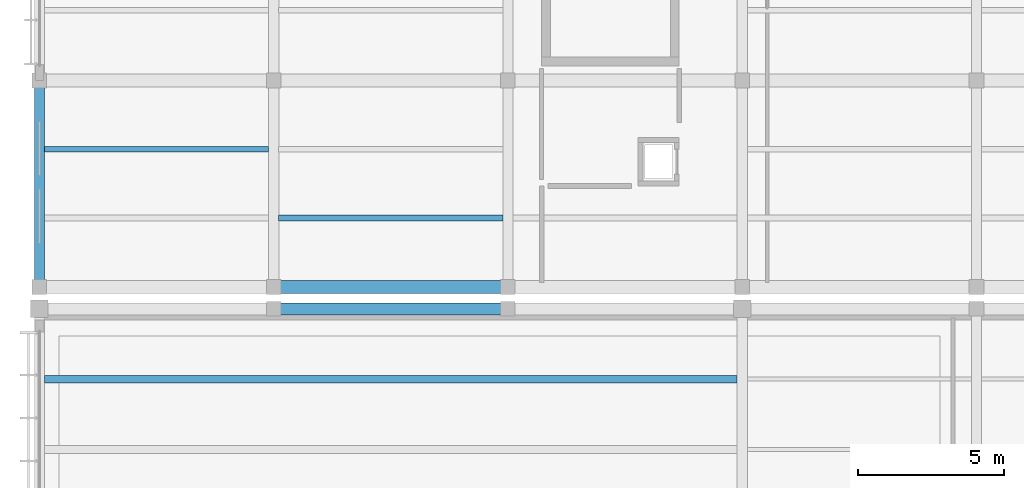
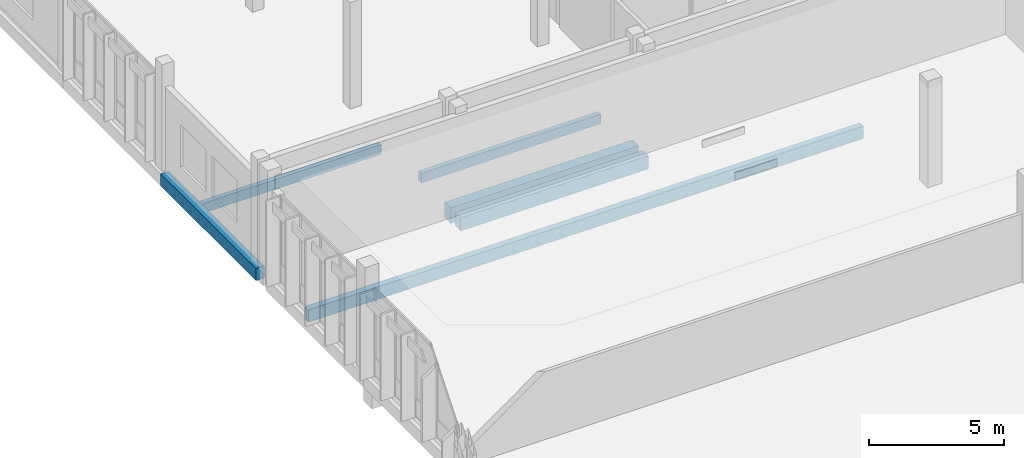
# One storey, part 31 of 177: 6 beams.
"""IFC4 building model written with IfcOpenShell, lengths in metres."""

from ifc_helpers import new_model, si_unit, direction, frame, origin, origin_2d, place, context, subcontext, project, spatial, rectangle, extrude, material, material_profile, profile_set, type_object, element, save


model = new_model("IFC4")

# Units and contexts
model_context = context("Model", 3, precision=1e-05, world=origin(), true_north=direction((0.0, 1.0)))
body_context = subcontext(model_context, "Body", "Model", "MODEL_VIEW")
ifc_project = project(units=[si_unit("LENGTHUNIT", "METRE"), si_unit("AREAUNIT", "SQUARE_METRE"), si_unit("VOLUMEUNIT", "CUBIC_METRE"), si_unit("PLANEANGLEUNIT", "RADIAN"), si_unit("MASSUNIT", "GRAM", prefix="KILO")], contexts=[model_context])

# Site, building, storey
site_placement = place(None, origin())
site = spatial("IfcSite", under=ifc_project, at=site_placement, CompositionType="ELEMENT")
building_placement = place(site_placement, origin())
building = spatial("IfcBuilding", under=site, at=building_placement, Name="Chiffa Square Polytechnic", CompositionType="ELEMENT")
storey_placement = place(building_placement, frame((0.0, 0.0, 4.800048828125)))
storey = spatial("IfcBuildingStorey", under=building, at=storey_placement, Name="L01", CompositionType="ELEMENT", Elevation=4.800048828125)

# Beams
ifc_material_1 = material(Name="Concrete C35/45", Category="concrete")
ifc_material_profile_1 = material_profile(ifc_material_1, rectangle(XDim=0.35009765625, YDim=0.550048828125, at=origin_2d()), Name="RC 350x550")
ifc_profile_set_1 = profile_set([ifc_material_profile_1], Name="Concrete C35/45")
beam_type_1 = type_object("IfcBeamType", Name="BM-RC-350X550", PredefinedType="BEAM", material=ifc_profile_set_1)
beam_1_placement = place(storey_placement, frame((0.0, 36.75, -0.554931640625), z_axis=(0.0, 1.0, 0.0), x_axis=(-1.0, 0.0, 0.0)))
element("IfcBeam", 1, at=beam_1_placement, inside=storey, type_object=beam_type_1, Name="Primary floor girder BM-V6-L01-Y-0000-0368", PredefinedType="BEAM", context=body_context, shape_type="SweptSolid", body=[
    extrude(rectangle(XDim=0.35009765625, YDim=0.550048828125, at=origin_2d()), origin(), (0.0, 0.0, 1.0), 7.050048828125),
])
ifc_material_profile_2 = material_profile(ifc_material_1, rectangle(XDim=0.39990234375, YDim=0.60009765625, at=origin_2d()), Name="RC 400x600")
ifc_profile_set_2 = profile_set([ifc_material_profile_2], Name="Concrete C35/45")
beam_type_2 = type_object("IfcBeamType", Name="BM-RC-400X600", PredefinedType="BEAM", material=ifc_profile_set_2)
beam_2_placement = place(storey_placement, frame((8.0, 36.0, -0.580078125), z_axis=(1.0, 0.0, 0.0), x_axis=(0.0, 1.0, 0.0)))
element("IfcBeam", 2, at=beam_2_placement, inside=storey, type_object=beam_type_2, Name="Primary floor girder BM-V3-L01-X-0080-0360", PredefinedType="BEAM", context=body_context, shape_type="SweptSolid", body=[
    extrude(rectangle(XDim=0.39990234375, YDim=0.60009765625, at=origin_2d()), origin(), (0.0, 0.0, 1.0), 8.0),
])
ifc_material_profile_3 = material_profile(ifc_material_1, rectangle(XDim=0.449951171875, YDim=0.699951171875, at=origin_2d()), Name="RC 450x700")
ifc_profile_set_3 = profile_set([ifc_material_profile_3], Name="Concrete C35/45")
beam_type_3 = type_object("IfcBeamType", Name="BM-RC-450X700", PredefinedType="BEAM", material=ifc_profile_set_3)
beam_3_placement = place(storey_placement, frame((8.0, 36.75, -0.630126953125), z_axis=(1.0, 0.0, 0.0), x_axis=(0.0, 1.0, 0.0)))
element("IfcBeam", 3, at=beam_3_placement, inside=storey, type_object=beam_type_3, Name="Primary floor girder BM-V6-L01-X-0080-0368", PredefinedType="BEAM", context=body_context, shape_type="SweptSolid", body=[
    extrude(rectangle(XDim=0.449951171875, YDim=0.699951171875, at=origin_2d()), origin(), (0.0, 0.0, 1.0), 8.0),
])
ifc_material_2 = material(Name="Glulam GL28h", Category="wood")
ifc_material_profile_4 = material_profile(ifc_material_2, rectangle(XDim=0.199951171875, YDim=0.43994140625, at=origin_2d()), Name="GL28h 200x440")
ifc_profile_set_4 = profile_set([ifc_material_profile_4], Name="Glulam GL28h")
beam_type_4 = type_object("IfcBeamType", Name="JST-GL-200X440", PredefinedType="JOIST", material=ifc_profile_set_4)
for number, where, z_axis, x_axis, name in (
    (4, (0.173095703125, 41.449951171875, -0.5), (1.0, 0.0, 0.0), (0.0, 1.0, 0.0), "Secondary floor joist JST-V6-L01-0000-0414"),
    (5, (8.173095703125, 39.10009765625, -0.5), (1.0, 0.0, 0.0), (0.0, 1.0, 0.0), "Secondary floor joist JST-V6-L01-0080-0391"),
):
    element("IfcBeam", number, at=place(storey_placement, frame(where, z_axis=z_axis, x_axis=x_axis)), inside=storey, type_object=beam_type_4, Name=name, PredefinedType="JOIST", context=body_context, shape_type="SweptSolid", body=[
        extrude(rectangle(XDim=0.199951171875, YDim=0.43994140625, at=origin_2d()), origin(), (0.0, 0.0, 1.0), 7.65380859375),
    ])
ifc_material_profile_5 = material_profile(ifc_material_2, rectangle(XDim=0.260009765625, YDim=0.56005859375, at=origin_2d()), Name="GL28h 260x560")
ifc_profile_set_5 = profile_set([ifc_material_profile_5], Name="Glulam GL28h")
beam_type_5 = type_object("IfcBeamType", Name="JST-GL-260X560", PredefinedType="JOIST", material=ifc_profile_set_5)
beam_4_placement = place(storey_placement, frame((0.173095703125, 33.60009765625, -0.56005859375), z_axis=(1.0, 0.0, 0.0), x_axis=(0.0, 1.0, 0.0)))
element("IfcBeam", 6, at=beam_4_placement, inside=storey, type_object=beam_type_5, Name="Secondary floor joist JST-V3-L01-0000-0336", PredefinedType="JOIST", context=body_context, shape_type="SweptSolid", body=[
    extrude(rectangle(XDim=0.260009765625, YDim=0.56005859375, at=origin_2d()), origin(), (0.0, 0.0, 1.0), 23.65380859375),
])

save(model, "model.ifc")
